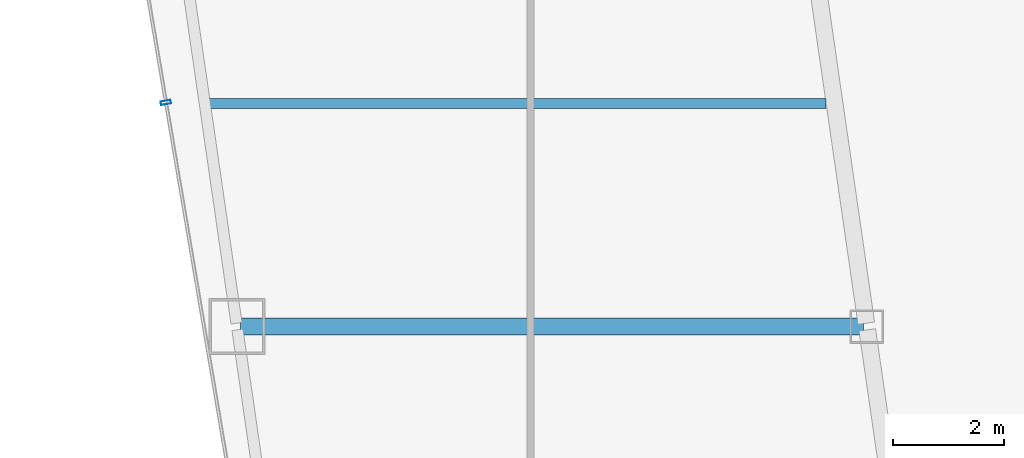
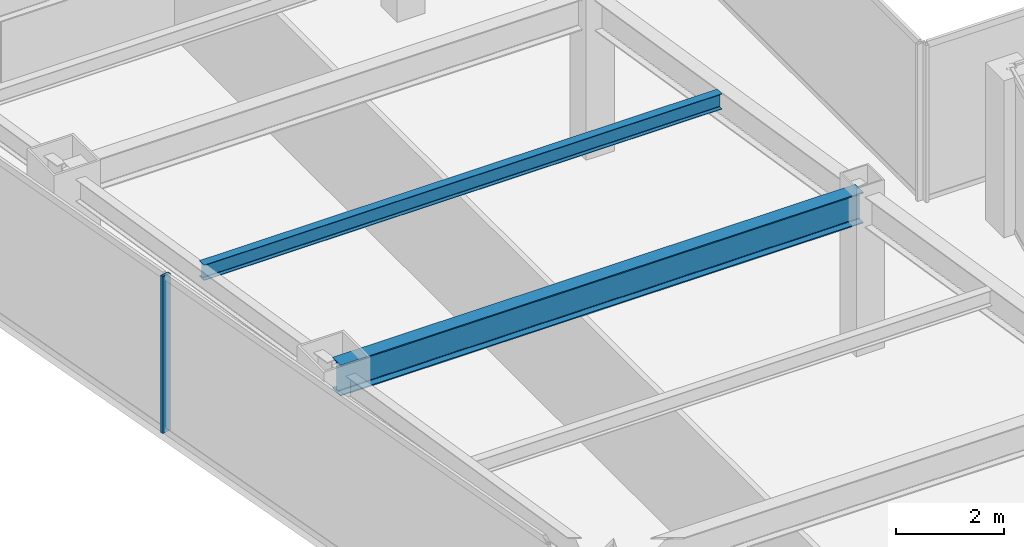
# One storey, part 4 of 36: 2 beams, 1 member, 1 element without a shape of its own.
"""IFC4 building model written with IfcOpenShell, lengths in metres."""

from ifc_helpers import new_model, si_unit, direction, frame, origin, origin_2d, place, context, subcontext, project, spatial, hollow_rectangle, i_section, extrude, material, material_profile, profile_set, type_object, element, aggregate, save


model = new_model("IFC4")

# Units and contexts
model_context = context("Model", 3, precision=1e-05, world=origin(), true_north=direction((0.0, 1.0)))
body_context = subcontext(model_context, "Body", "Model", "MODEL_VIEW")
ifc_project = project(units=[si_unit("LENGTHUNIT", "METRE"), si_unit("AREAUNIT", "SQUARE_METRE"), si_unit("VOLUMEUNIT", "CUBIC_METRE"), si_unit("PLANEANGLEUNIT", "RADIAN"), si_unit("MASSUNIT", "GRAM", prefix="KILO")], contexts=[model_context])

# Site, building, storey
site_placement = place(None, origin())
site = spatial("IfcSite", under=ifc_project, at=site_placement, CompositionType="ELEMENT")
building_placement = place(site_placement, origin())
building = spatial("IfcBuilding", under=site, at=building_placement, Name="Saevonmaru Cultural Tower", CompositionType="ELEMENT")
storey_placement = place(building_placement, frame((0.0, 0.0, 171.39990234375)))
storey = spatial("IfcBuildingStorey", under=building, at=storey_placement, Name="L38", CompositionType="ELEMENT", Elevation=171.39990234375)

# Beams
ifc_material_1 = material(Name="Steel SM355", Category="steel")
ifc_material_profile_1 = material_profile(ifc_material_1, i_section(OverallWidth=0.300048828125, OverallDepth=0.699951171875, WebThickness=0.012939453125, FlangeThickness=0.02392578125, FilletRadius=0.02587890625, at=origin_2d()), Name="H-700x300x13x24")
ifc_profile_set_1 = profile_set([ifc_material_profile_1], Name="Steel SM355")
beam_type_1 = type_object("IfcBeamType", Name="BM-G-H700", PredefinedType="BEAM", material=ifc_profile_set_1)
beam_1_placement = place(storey_placement, frame((9.531982421875, 24.0, 3.2001953125), z_axis=(1.0, 0.0, 0.0), x_axis=(0.0, 1.0, 0.0)))
element("IfcBeam", 1, at=beam_1_placement, inside=storey, type_object=beam_type_1, Name="L38 West Wing Transverse Girder 2", PredefinedType="BEAM", context=body_context, shape_type="SweptSolid", body=[
    extrude(i_section(OverallWidth=0.300048828125, OverallDepth=0.699951171875, WebThickness=0.012939453125, FlangeThickness=0.02392578125, FilletRadius=0.02587890625, at=origin_2d()), origin(), (0.0, 0.0, 1.0), 11.179931640625),
])
ifc_material_profile_2 = material_profile(ifc_material_1, i_section(OverallWidth=0.175048828125, OverallDepth=0.35009765625, WebThickness=0.007080078125, FlangeThickness=0.010986328125, FilletRadius=0.012939453125, at=origin_2d()), Name="H-350x175x7x11")
ifc_profile_set_2 = profile_set([ifc_material_profile_2], Name="Steel SM355")
beam_type_2 = type_object("IfcBeamType", Name="BM-J-H350", PredefinedType="JOIST", material=ifc_profile_set_2)
beam_2_placement = place(storey_placement, frame((8.95458984375, 28.0, 3.375), z_axis=(1.0, 0.0, 0.0), x_axis=(0.0, 1.0, 0.0)))
element("IfcBeam", 2, at=beam_2_placement, inside=storey, type_object=beam_type_2, Name="L38 West Wing Floor Joist 2", PredefinedType="JOIST", context=body_context, shape_type="SweptSolid", body=[
    extrude(i_section(OverallWidth=0.175048828125, OverallDepth=0.35009765625, WebThickness=0.007080078125, FlangeThickness=0.010986328125, FilletRadius=0.012939453125, at=origin_2d()), origin(), (0.0, 0.0, 1.0), 11.08203125),
])

# Curtain wall, member
ifc_material_2 = material(Name="Satin Bronze Anodised Aluminium", Category="aluminium")
curtain_wall_type = type_object("IfcCurtainWallType", Name="CW-TYP-A", PredefinedType="NOTDEFINED", material=ifc_material_2)
curtain_wall_placement = place(storey_placement, origin())
curtain_wall = element("IfcCurtainWall", 3, at=curtain_wall_placement, inside=storey, type_object=curtain_wall_type, Name="L38 Unitised Curtain Wall E12", PredefinedType="NOTDEFINED")
ifc_material_profile_3 = material_profile(ifc_material_2, hollow_rectangle(XDim=0.06494140625, YDim=0.179931640625, WallThickness=0.00390625, at=origin_2d()), Name="ALU-MULL-180x65x4")
ifc_profile_set_3 = profile_set([ifc_material_profile_3], Name="Satin Bronze Anodised Aluminium")
member_type = type_object("IfcMemberType", Name="ML-CW-180x65", PredefinedType="MULLION", material=ifc_profile_set_3)
member_placement = place(storey_placement, frame((8.1953125, 28.019775390625, 0.0), z_axis=(0.0, 0.0, 1.0), x_axis=(0.16692169721, -0.985970155228, 0.0)))
member = element("IfcMember", 4, at=member_placement, type_object=member_type, Name="CW-TW-L38-E12 mullion 3", PredefinedType="MULLION", context=body_context, shape_type="SweptSolid", body=[
    extrude(hollow_rectangle(XDim=0.06494140625, YDim=0.179931640625, WallThickness=0.00390625, at=origin_2d()), origin(), (0.0, 0.0, 1.0), 3.550048828125),
])
aggregate(curtain_wall, [member])

save(model, "model.ifc")
